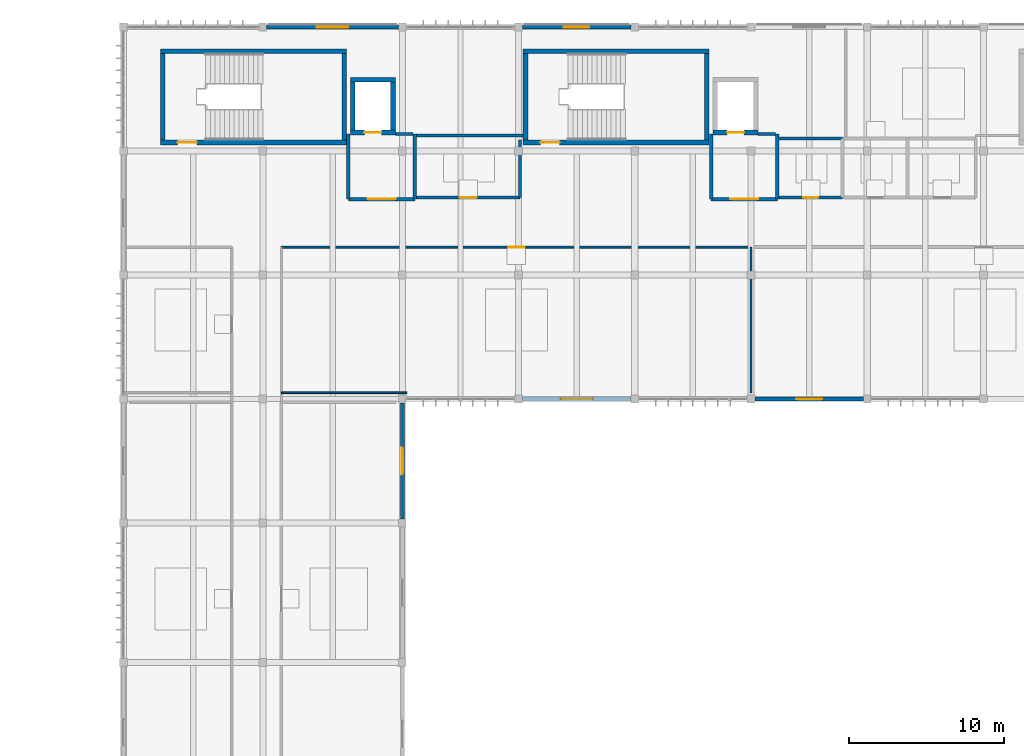
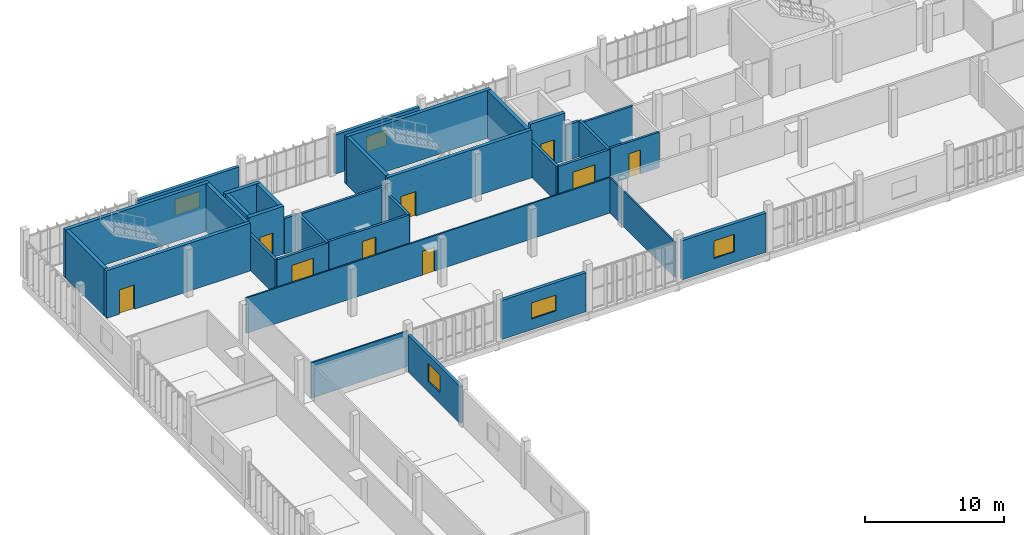
# One storey, part 19 of 27: 34 walls, 9 doors, 5 windows, 14 openings.
"""IFC4 building model written with IfcOpenShell, lengths in metres."""

from ifc_helpers import new_model, si_unit, direction, frame, frame_2d, origin, place, context, subcontext, project, spatial, rectangle, extrude, material, layer, layer_set, type_object, element, fill, save


model = new_model("IFC4")

# Units and contexts
model_context = context("Model", 3, precision=1e-05, world=origin(), true_north=direction((0.0, 1.0)))
body_context = subcontext(model_context, "Body", "Model", "MODEL_VIEW")
ifc_project = project(units=[si_unit("LENGTHUNIT", "METRE"), si_unit("AREAUNIT", "SQUARE_METRE"), si_unit("VOLUMEUNIT", "CUBIC_METRE"), si_unit("PLANEANGLEUNIT", "RADIAN"), si_unit("MASSUNIT", "GRAM", prefix="KILO")], contexts=[model_context])

# Site, building, storey
site_placement = place(None, origin())
site = spatial("IfcSite", under=ifc_project, at=site_placement, CompositionType="ELEMENT")
building_placement = place(site_placement, origin())
building = spatial("IfcBuilding", under=site, at=building_placement, Name="Vourika Railside Aquatics Centre", CompositionType="ELEMENT")
storey_placement = place(building_placement, frame((0.0, 0.0, 13.5)))
storey = spatial("IfcBuildingStorey", under=building, at=storey_placement, Name="L03", CompositionType="ELEMENT", Elevation=13.5)

# Wall, opening, door
ifc_material_1 = material(Name="Concrete C40/50", Category="concrete")
ifc_layer_1 = layer(ifc_material_1, 0.300048828125, Name="WL-CORE")
ifc_layer_set_1 = layer_set([ifc_layer_1], Name="Concrete C40/50")
wall_type_1 = type_object("IfcWallType", Name="WL-CORE", PredefinedType="SHEAR", material=ifc_layer_set_1)
wall_1_placement = place(storey_placement, frame((20.39990234375, 108.550048828125, 0.0), z_axis=(0.0, 0.0, 1.0), x_axis=(1.0, 0.0, 0.0)))
wall_1 = element("IfcWall", 1, at=wall_1_placement, inside=storey, type_object=wall_type_1, Name="Protected Exit Stair Core ST01 South Wall (L03)", PredefinedType="SHEAR", context=body_context, shape_type="SweptSolid", body=[
    extrude(rectangle(XDim=12.0, YDim=0.300048828125, at=frame_2d((6.0, 0.0))), origin(), (0.0, 0.0, 1.0), 4.199951171875),
])
opening_1_placement = place(wall_1_placement, frame((1.10009765625, 0.0, 0.0)))
opening_1 = element("IfcOpeningElement", 2, at=opening_1_placement, cuts=wall_1, Name="Opening DF02", PredefinedType="OPENING", context=body_context, shape_type="SweptSolid", body=[
    extrude(rectangle(XDim=1.25, YDim=2.14990234375, at=frame_2d((0.625, 1.074951171875))), frame((0.0, 0.16015625, 0.0), z_axis=(0.0, -1.0, 0.0), x_axis=(1.0, 0.0, 0.0)), (0.0, 0.0, 1.0), 0.320068359375),
])
ifc_material_2 = material(Name="Fire-rated wide exit stair door")
door_type_1 = type_object("IfcDoorType", Name="DR-FD60-125", OperationType="NOTDEFINED", PredefinedType="DOOR", material=ifc_material_2)
door_1_placement = place(opening_1_placement, origin())
door_1 = element("IfcDoor", 3, at=door_1_placement, inside=storey, type_object=door_type_1, Name="Protected Exit Stair Core ST01 Enclosure Fire Door (L03)", OperationType="SINGLE_SWING_RIGHT", OverallHeight=2.14990234375, OverallWidth=1.25, PredefinedType="DOOR", context=body_context, shape_type="SweptSolid", body=[
    extrude(rectangle(XDim=1.25, YDim=2.14990234375, at=frame_2d((0.625, 1.074951171875))), frame((0.0, 0.02490234375, 0.0), z_axis=(0.0, -1.0, 0.0), x_axis=(1.0, 0.0, 0.0)), (0.0, 0.0, 1.0), 0.050048828125),
])
fill(opening_1, door_1)

# Walls
wall_2_placement = place(storey_placement, frame((32.39990234375, 114.449951171875, 0.0), z_axis=(0.0, 0.0, 1.0), x_axis=(-1.0, 0.0, 0.0)))
element("IfcWall", 4, at=wall_2_placement, inside=storey, type_object=wall_type_1, Name="Protected Exit Stair Core ST01 North Wall (L03)", PredefinedType="SHEAR", context=body_context, shape_type="SweptSolid", body=[
    extrude(rectangle(XDim=12.0, YDim=0.300048828125, at=frame_2d((6.0, 0.0))), origin(), (0.0, 0.0, 1.0), 4.199951171875),
])
for number, where, z_axis, x_axis, name in (
    (5, (20.550048828125, 114.300048828125, 0.0), (0.0, 0.0, 1.0), (0.0, -1.0, 0.0), "Protected Exit Stair Core ST01 West Wall (L03)"),
    (6, (32.25, 108.699951171875, 0.0), (0.0, 0.0, 1.0), (0.0, 1.0, 0.0), "Protected Exit Stair Core ST01 East Wall (L03)"),
):
    element("IfcWall", number, at=place(storey_placement, frame(where, z_axis=z_axis, x_axis=x_axis)), inside=storey, type_object=wall_type_1, Name=name, PredefinedType="SHEAR", context=body_context, shape_type="SweptSolid", body=[
        extrude(rectangle(XDim=5.60009765625, YDim=0.300048828125, at=frame_2d((2.800048828125, 0.0))), origin(), (0.0, 0.0, 1.0), 4.199951171875),
    ])

# Wall, opening, door
wall_3_placement = place(storey_placement, frame((43.800048828125, 108.550048828125, 0.0), z_axis=(0.0, 0.0, 1.0), x_axis=(1.0, 0.0, 0.0)))
wall_3 = element("IfcWall", 7, at=wall_3_placement, inside=storey, type_object=wall_type_1, Name="Protected Exit Stair Core ST02 South Wall (L03)", PredefinedType="SHEAR", context=body_context, shape_type="SweptSolid", body=[
    extrude(rectangle(XDim=12.0, YDim=0.300048828125, at=frame_2d((6.0, 0.0))), origin(), (0.0, 0.0, 1.0), 4.199951171875),
])
opening_2_placement = place(wall_3_placement, frame((1.10009765625, 0.0, 0.0)))
opening_2 = element("IfcOpeningElement", 8, at=opening_2_placement, cuts=wall_3, Name="Opening DF02", PredefinedType="OPENING", context=body_context, shape_type="SweptSolid", body=[
    extrude(rectangle(XDim=1.25, YDim=2.14990234375, at=frame_2d((0.625, 1.074951171875))), frame((0.0, 0.16015625, 0.0), z_axis=(0.0, -1.0, 0.0), x_axis=(1.0, 0.0, 0.0)), (0.0, 0.0, 1.0), 0.320068359375),
])
door_2_placement = place(opening_2_placement, origin())
door_2 = element("IfcDoor", 9, at=door_2_placement, inside=storey, type_object=door_type_1, Name="Protected Exit Stair Core ST02 Enclosure Fire Door (L03)", OperationType="SINGLE_SWING_LEFT", OverallHeight=2.14990234375, OverallWidth=1.25, PredefinedType="DOOR", context=body_context, shape_type="SweptSolid", body=[
    extrude(rectangle(XDim=1.25, YDim=2.14990234375, at=frame_2d((0.625, 1.074951171875))), frame((0.0, 0.02490234375, 0.0), z_axis=(0.0, -1.0, 0.0), x_axis=(1.0, 0.0, 0.0)), (0.0, 0.0, 1.0), 0.050048828125),
])
fill(opening_2, door_2)

# Walls
wall_4_placement = place(storey_placement, frame((55.800048828125, 114.449951171875, 0.0), z_axis=(0.0, 0.0, 1.0), x_axis=(-1.0, 0.0, 0.0)))
element("IfcWall", 10, at=wall_4_placement, inside=storey, type_object=wall_type_1, Name="Protected Exit Stair Core ST02 North Wall (L03)", PredefinedType="SHEAR", context=body_context, shape_type="SweptSolid", body=[
    extrude(rectangle(XDim=12.0, YDim=0.300048828125, at=frame_2d((6.0, 0.0))), origin(), (0.0, 0.0, 1.0), 4.199951171875),
])
for number, where, z_axis, x_axis, name in (
    (11, (43.949951171875, 114.300048828125, 0.0), (0.0, 0.0, 1.0), (0.0, -1.0, 0.0), "Protected Exit Stair Core ST02 West Wall (L03)"),
    (12, (55.64990234375, 108.699951171875, 0.0), (0.0, 0.0, 1.0), (0.0, 1.0, 0.0), "Protected Exit Stair Core ST02 East Wall (L03)"),
):
    element("IfcWall", number, at=place(storey_placement, frame(where, z_axis=z_axis, x_axis=x_axis)), inside=storey, type_object=wall_type_1, Name=name, PredefinedType="SHEAR", context=body_context, shape_type="SweptSolid", body=[
        extrude(rectangle(XDim=5.60009765625, YDim=0.300048828125, at=frame_2d((2.800048828125, 0.0))), origin(), (0.0, 0.0, 1.0), 4.199951171875),
    ])

# Wall, opening, door
wall_5_placement = place(storey_placement, frame((32.64990234375, 109.199951171875, 0.0), z_axis=(0.0, 0.0, 1.0), x_axis=(1.0, 0.0, 0.0)))
wall_5 = element("IfcWall", 13, at=wall_5_placement, inside=storey, type_object=wall_type_1, Name="Lift LF01 Shaft South Wall (L03)", PredefinedType="SHEAR", context=body_context, shape_type="SweptSolid", body=[
    extrude(rectangle(XDim=2.900146484375, YDim=0.300048828125, at=frame_2d((1.4501953125, 0.0))), origin(), (0.0, 0.0, 1.0), 4.199951171875),
])
opening_3_placement = place(wall_5_placement, frame((0.89990234375, 0.0, 0.0)))
opening_3 = element("IfcOpeningElement", 14, at=opening_3_placement, cuts=wall_5, Name="Opening LD01", PredefinedType="OPENING", context=body_context, shape_type="SweptSolid", body=[
    extrude(rectangle(XDim=1.10009765625, YDim=2.14990234375, at=frame_2d((0.550048828125, 1.074951171875))), frame((0.0, 0.16015625, 0.0), z_axis=(0.0, -1.0, 0.0), x_axis=(1.0, 0.0, 0.0)), (0.0, 0.0, 1.0), 0.320068359375),
])
ifc_material_3 = material(Name="Stainless firefighting lift landing door")
door_type_2 = type_object("IfcDoorType", Name="DR-LIFT-LD1", OperationType="DOUBLE_DOOR_SLIDING", PredefinedType="DOOR", material=ifc_material_3)
door_3_placement = place(opening_3_placement, origin())
door_3 = element("IfcDoor", 15, at=door_3_placement, inside=storey, type_object=door_type_2, Name="Lift LF01 Sliding Landing Door (L03)", OperationType="DOUBLE_DOOR_SLIDING", OverallHeight=2.14990234375, OverallWidth=1.10009765625, PredefinedType="DOOR", context=body_context, shape_type="SweptSolid", body=[
    extrude(rectangle(XDim=1.10009765625, YDim=2.14990234375, at=frame_2d((0.550048828125, 1.074951171875))), frame((0.0, 0.02490234375, 0.0), z_axis=(0.0, -1.0, 0.0), x_axis=(1.0, 0.0, 0.0)), (0.0, 0.0, 1.0), 0.050048828125),
])
fill(opening_3, door_3)

# Walls
wall_6_placement = place(storey_placement, frame((35.550048828125, 112.60009765625, 0.0), z_axis=(0.0, 0.0, 1.0), x_axis=(-1.0, 0.0, 0.0)))
element("IfcWall", 16, at=wall_6_placement, inside=storey, type_object=wall_type_1, Name="Lift LF01 Shaft North Wall (L03)", PredefinedType="SHEAR", context=body_context, shape_type="SweptSolid", body=[
    extrude(rectangle(XDim=2.900146484375, YDim=0.300048828125, at=frame_2d((1.4501953125, 0.0))), origin(), (0.0, 0.0, 1.0), 4.199951171875),
])
for number, where, z_axis, x_axis, name in (
    (17, (32.800048828125, 112.60009765625, 0.0), (0.0, 0.0, 1.0), (0.0, -1.0, 0.0), "Lift LF01 Shaft West Wall (L03)"),
    (18, (35.39990234375, 109.199951171875, 0.0), (0.0, 0.0, 1.0), (0.0, 1.0, 0.0), "Lift LF01 Shaft East Wall (L03)"),
):
    element("IfcWall", number, at=place(storey_placement, frame(where, z_axis=z_axis, x_axis=x_axis)), inside=storey, type_object=wall_type_1, Name=name, PredefinedType="SHEAR", context=body_context, shape_type="SweptSolid", body=[
        extrude(rectangle(XDim=3.400146484375, YDim=0.300048828125, at=frame_2d((1.7001953125, 0.0))), origin(), (0.0, 0.0, 1.0), 4.199951171875),
    ])

# Wall, opening, door
wall_7_placement = place(storey_placement, frame((56.050048828125, 109.199951171875, 0.0), z_axis=(0.0, 0.0, 1.0), x_axis=(1.0, 0.0, 0.0)))
wall_7 = element("IfcWall", 19, at=wall_7_placement, inside=storey, type_object=wall_type_1, Name="Lift LF02 Shaft South Wall (L03)", PredefinedType="SHEAR", context=body_context, shape_type="SweptSolid", body=[
    extrude(rectangle(XDim=2.89990234375, YDim=0.300048828125, at=frame_2d((1.449951171875, 0.0))), origin(), (0.0, 0.0, 1.0), 4.199951171875),
])
opening_4_placement = place(wall_7_placement, frame((0.89990234375, 0.0, 0.0)))
opening_4 = element("IfcOpeningElement", 20, at=opening_4_placement, cuts=wall_7, Name="Opening LD01", PredefinedType="OPENING", context=body_context, shape_type="SweptSolid", body=[
    extrude(rectangle(XDim=1.10009765625, YDim=2.14990234375, at=frame_2d((0.550048828125, 1.074951171875))), frame((0.0, 0.16015625, 0.0), z_axis=(0.0, -1.0, 0.0), x_axis=(1.0, 0.0, 0.0)), (0.0, 0.0, 1.0), 0.320068359375),
])
door_4_placement = place(opening_4_placement, origin())
door_4 = element("IfcDoor", 21, at=door_4_placement, inside=storey, type_object=door_type_2, Name="Lift LF02 Sliding Landing Door (L03)", OperationType="DOUBLE_DOOR_SLIDING", OverallHeight=2.14990234375, OverallWidth=1.10009765625, PredefinedType="DOOR", context=body_context, shape_type="SweptSolid", body=[
    extrude(rectangle(XDim=1.10009765625, YDim=2.14990234375, at=frame_2d((0.550048828125, 1.074951171875))), frame((0.0, 0.02490234375, 0.0), z_axis=(0.0, -1.0, 0.0), x_axis=(1.0, 0.0, 0.0)), (0.0, 0.0, 1.0), 0.050048828125),
])
fill(opening_4, door_4)

# Wall, opening, window
ifc_material_4 = material(Name="Precast concrete C40/50", Category="concrete")
ifc_layer_2 = layer(ifc_material_4, 0.25, Name="WL-EXT-250")
ifc_layer_set_2 = layer_set([ifc_layer_2], Name="Precast concrete C40/50")
wall_type_2 = type_object("IfcWallType", Name="WL-EXT-250", PredefinedType="SOLIDWALL", material=ifc_layer_set_2)
wall_8_placement = place(storey_placement, frame((36.0, 84.25, 0.0), z_axis=(0.0, 0.0, 1.0), x_axis=(0.0, 1.0, 0.0)))
wall_8 = element("IfcWall", 22, at=wall_8_placement, inside=storey, type_object=wall_type_2, Name="West Link Courtyard Wall L03-3", PredefinedType="SOLIDWALL", context=body_context, shape_type="SweptSolid", body=[
    extrude(rectangle(XDim=7.5, YDim=0.25, at=frame_2d((3.75, 0.0))), origin(), (0.0, 0.0, 1.0), 3.239990234375),
])
opening_5_placement = place(wall_8_placement, frame((2.89990234375, 0.0, 0.949951171875)))
opening_5 = element("IfcOpeningElement", 23, at=opening_5_placement, cuts=wall_8, Name="Opening W11", PredefinedType="OPENING", context=body_context, shape_type="SweptSolid", body=[
    extrude(rectangle(XDim=1.699951171875, YDim=1.550048828125, at=frame_2d((0.85009765625, 0.77490234375))), frame((0.0, 0.135009765625, 0.0), z_axis=(0.0, -1.0, 0.0), x_axis=(1.0, 0.0, 0.0)), (0.0, 0.0, 1.0), 0.27001953125),
])
ifc_material_5 = material(Name="Laminated solar-control glass", Category="glass")
window_type_1 = type_object("IfcWindowType", Name="WN-LAB-170x155", PartitioningType="SINGLE_PANEL", PredefinedType="WINDOW", material=ifc_material_5)
window_1_placement = place(opening_5_placement, origin())
window_1 = element("IfcWindow", 24, at=window_1_placement, inside=storey, type_object=window_type_1, Name="West Link Courtyard Window L03-3", OverallHeight=1.550048828125, OverallWidth=1.699951171875, PartitioningType="SINGLE_PANEL", PredefinedType="WINDOW", context=body_context, shape_type="SweptSolid", body=[
    extrude(rectangle(XDim=1.699951171875, YDim=1.550048828125, at=frame_2d((0.85009765625, 0.77490234375))), frame((0.0, 0.030029296875, 0.0), z_axis=(0.0, -1.0, 0.0), x_axis=(1.0, 0.0, 0.0)), (0.0, 0.0, 1.0), 0.06005859375),
])
fill(opening_5, window_1)

ifc_layer_3 = layer(ifc_material_4, 0.27001953125, Name="WL-EXT-270")
ifc_layer_set_3 = layer_set([ifc_layer_3], Name="Precast concrete C40/50")
wall_type_3 = type_object("IfcWallType", Name="WL-EXT-270", PredefinedType="SOLIDWALL", material=ifc_layer_set_3)
wall_9_placement = place(storey_placement, frame((35.75, 116.0, 0.0), z_axis=(0.0, 0.0, 1.0), x_axis=(-1.0, 0.0, 0.0)))
wall_9 = element("IfcWall", 25, at=wall_9_placement, inside=storey, type_object=wall_type_3, Name="North Boulevard Precast Bay L03-2", PredefinedType="SOLIDWALL", context=body_context, shape_type="SweptSolid", body=[
    extrude(rectangle(XDim=8.5, YDim=0.27001953125, at=frame_2d((4.25, 0.0))), origin(), (0.0, 0.0, 1.0), 3.43994140625),
])
opening_6_placement = place(wall_9_placement, frame((3.22509765625, 0.0, 0.949951171875)))
opening_6 = element("IfcOpeningElement", 26, at=opening_6_placement, cuts=wall_9, Name="Opening W12", PredefinedType="OPENING", context=body_context, shape_type="SweptSolid", body=[
    extrude(rectangle(XDim=2.050048828125, YDim=1.39990234375, at=frame_2d((1.02490234375, 0.699951171875))), frame((0.0, 0.14501953125, 0.0), z_axis=(0.0, -1.0, 0.0), x_axis=(1.0, 0.0, 0.0)), (0.0, 0.0, 1.0), 0.2900390625),
])
window_type_2 = type_object("IfcWindowType", Name="WN-SPA-205x140", PartitioningType="DOUBLE_PANEL_HORIZONTAL", PredefinedType="WINDOW", material=ifc_material_5)
window_2_placement = place(opening_6_placement, origin())
window_2 = element("IfcWindow", 27, at=window_2_placement, inside=storey, type_object=window_type_2, Name="North Boulevard Studio Window L03-2", OverallHeight=1.39990234375, OverallWidth=2.050048828125, PartitioningType="SINGLE_PANEL", PredefinedType="WINDOW", context=body_context, shape_type="SweptSolid", body=[
    extrude(rectangle(XDim=2.050048828125, YDim=1.39990234375, at=frame_2d((1.02490234375, 0.699951171875))), frame((0.0, 0.030029296875, 0.0), z_axis=(0.0, -1.0, 0.0), x_axis=(1.0, 0.0, 0.0)), (0.0, 0.0, 1.0), 0.06005859375),
])
fill(opening_6, window_2)

wall_10_placement = place(storey_placement, frame((50.75, 116.0, 0.0), z_axis=(0.0, 0.0, 1.0), x_axis=(-1.0, 0.0, 0.0)))
wall_10 = element("IfcWall", 28, at=wall_10_placement, inside=storey, type_object=wall_type_3, Name="North Boulevard Precast Bay L03-4", PredefinedType="SOLIDWALL", context=body_context, shape_type="SweptSolid", body=[
    extrude(rectangle(XDim=7.0, YDim=0.27001953125, at=frame_2d((3.5, 0.0))), origin(), (0.0, 0.0, 1.0), 3.43994140625),
])
opening_7_placement = place(wall_10_placement, frame((2.675048828125, 0.0, 0.949951171875)))
opening_7 = element("IfcOpeningElement", 29, at=opening_7_placement, cuts=wall_10, Name="Opening W13", PredefinedType="OPENING", context=body_context, shape_type="SweptSolid", body=[
    extrude(rectangle(XDim=1.64990234375, YDim=1.35009765625, at=frame_2d((0.824951171875, 0.675048828125))), frame((0.0, 0.14501953125, 0.0), z_axis=(0.0, -1.0, 0.0), x_axis=(1.0, 0.0, 0.0)), (0.0, 0.0, 1.0), 0.2900390625),
])
window_type_3 = type_object("IfcWindowType", Name="WN-SPA-165x135", PartitioningType="SINGLE_PANEL", PredefinedType="WINDOW", material=ifc_material_5)
window_3_placement = place(opening_7_placement, origin())
window_3 = element("IfcWindow", 30, at=window_3_placement, inside=storey, type_object=window_type_3, Name="North Boulevard Studio Window L03-4", OverallHeight=1.35009765625, OverallWidth=1.64990234375, PartitioningType="SINGLE_PANEL", PredefinedType="WINDOW", context=body_context, shape_type="SweptSolid", body=[
    extrude(rectangle(XDim=1.64990234375, YDim=1.35009765625, at=frame_2d((0.824951171875, 0.675048828125))), frame((0.0, 0.030029296875, 0.0), z_axis=(0.0, -1.0, 0.0), x_axis=(1.0, 0.0, 0.0)), (0.0, 0.0, 1.0), 0.06005859375),
])
fill(opening_7, window_3)

wall_11_placement = place(storey_placement, frame((43.75, 92.0, 0.0), z_axis=(0.0, 0.0, 1.0), x_axis=(1.0, 0.0, 0.0)))
wall_11 = element("IfcWall", 31, at=wall_11_placement, inside=storey, type_object=wall_type_3, Name="Courtyard Precast Wall L03-2", PredefinedType="SOLIDWALL", context=body_context, shape_type="SweptSolid", body=[
    extrude(rectangle(XDim=7.0, YDim=0.27001953125, at=frame_2d((3.5, 0.0))), origin(), (0.0, 0.0, 1.0), 3.43994140625),
])
opening_8_placement = place(wall_11_placement, frame((2.47509765625, 0.0, 0.949951171875)))
opening_8 = element("IfcOpeningElement", 32, at=opening_8_placement, cuts=wall_11, Name="Opening W12", PredefinedType="OPENING", context=body_context, shape_type="SweptSolid", body=[
    extrude(rectangle(XDim=2.050048828125, YDim=1.39990234375, at=frame_2d((1.02490234375, 0.699951171875))), frame((0.0, 0.14501953125, 0.0), z_axis=(0.0, -1.0, 0.0), x_axis=(1.0, 0.0, 0.0)), (0.0, 0.0, 1.0), 0.2900390625),
])
window_4_placement = place(opening_8_placement, origin())
window_4 = element("IfcWindow", 33, at=window_4_placement, inside=storey, type_object=window_type_2, Name="Courtyard Fitness Window L03-2", OverallHeight=1.39990234375, OverallWidth=2.050048828125, PartitioningType="SINGLE_PANEL", PredefinedType="WINDOW", context=body_context, shape_type="SweptSolid", body=[
    extrude(rectangle(XDim=2.050048828125, YDim=1.39990234375, at=frame_2d((1.02490234375, 0.699951171875))), frame((0.0, 0.030029296875, 0.0), z_axis=(0.0, -1.0, 0.0), x_axis=(1.0, 0.0, 0.0)), (0.0, 0.0, 1.0), 0.06005859375),
])
fill(opening_8, window_4)

wall_12_placement = place(storey_placement, frame((58.75, 92.0, 0.0), z_axis=(0.0, 0.0, 1.0), x_axis=(1.0, 0.0, 0.0)))
wall_12 = element("IfcWall", 34, at=wall_12_placement, inside=storey, type_object=wall_type_3, Name="Courtyard Precast Wall L03-4", PredefinedType="SOLIDWALL", context=body_context, shape_type="SweptSolid", body=[
    extrude(rectangle(XDim=7.0, YDim=0.27001953125, at=frame_2d((3.5, 0.0))), origin(), (0.0, 0.0, 1.0), 3.43994140625),
])
opening_9_placement = place(wall_12_placement, frame((2.64990234375, 0.0, 0.949951171875)))
opening_9 = element("IfcOpeningElement", 35, at=opening_9_placement, cuts=wall_12, Name="Opening W11", PredefinedType="OPENING", context=body_context, shape_type="SweptSolid", body=[
    extrude(rectangle(XDim=1.699951171875, YDim=1.550048828125, at=frame_2d((0.85009765625, 0.77490234375))), frame((0.0, 0.14501953125, 0.0), z_axis=(0.0, -1.0, 0.0), x_axis=(1.0, 0.0, 0.0)), (0.0, 0.0, 1.0), 0.2900390625),
])
window_5_placement = place(opening_9_placement, origin())
window_5 = element("IfcWindow", 36, at=window_5_placement, inside=storey, type_object=window_type_1, Name="Courtyard Fitness Window L03-4", OverallHeight=1.550048828125, OverallWidth=1.699951171875, PartitioningType="SINGLE_PANEL", PredefinedType="WINDOW", context=body_context, shape_type="SweptSolid", body=[
    extrude(rectangle(XDim=1.699951171875, YDim=1.550048828125, at=frame_2d((0.85009765625, 0.77490234375))), frame((0.0, 0.030029296875, 0.0), z_axis=(0.0, -1.0, 0.0), x_axis=(1.0, 0.0, 0.0)), (0.0, 0.0, 1.0), 0.06005859375),
])
fill(opening_9, window_5)

# Wall, opening, door
ifc_material_6 = material(Name="Concrete C35/45", Category="concrete")
ifc_layer_4 = layer(ifc_material_6, 0.219970703125, Name="WL-FIRE")
ifc_layer_set_4 = layer_set([ifc_layer_4], Name="Concrete C35/45")
wall_type_4 = type_object("IfcWallType", Name="WL-FIRE", PredefinedType="SOLIDWALL", material=ifc_layer_set_4)
wall_13_placement = place(storey_placement, frame((32.52001953125, 104.89990234375, 0.0), z_axis=(0.0, 0.0, 1.0), x_axis=(1.0, 0.0, 0.0)))
wall_13 = element("IfcWall", 37, at=wall_13_placement, inside=storey, type_object=wall_type_4, Name="Lift LF01 Lobby Corridor Fire Wall (L03)", PredefinedType="SOLIDWALL", context=body_context, shape_type="SweptSolid", body=[
    extrude(rectangle(XDim=4.280029296875, YDim=0.219970703125, at=frame_2d((2.14013671875, 0.0))), origin(), (0.0, 0.0, 1.0), 3.1201171875),
])
opening_10_placement = place(wall_13_placement, frame((1.239990234375, 0.0, 0.0)))
opening_10 = element("IfcOpeningElement", 38, at=opening_10_placement, cuts=wall_13, Name="Opening DF03", PredefinedType="OPENING", context=body_context, shape_type="SweptSolid", body=[
    extrude(rectangle(XDim=1.800048828125, YDim=2.199951171875, at=frame_2d((0.89990234375, 1.10009765625))), frame((0.0, 0.1201171875, 0.0), z_axis=(0.0, -1.0, 0.0), x_axis=(1.0, 0.0, 0.0)), (0.0, 0.0, 1.0), 0.239990234375),
])
ifc_material_7 = material(Name="Fire-rated double lobby door")
door_type_3 = type_object("IfcDoorType", Name="DR-FD60D", OperationType="DOUBLE_DOOR_SINGLE_SWING", PredefinedType="DOOR", material=ifc_material_7)
door_5_placement = place(opening_10_placement, origin())
door_5 = element("IfcDoor", 39, at=door_5_placement, inside=storey, type_object=door_type_3, Name="Lift LF01 Lobby Fire Door (L03)", OperationType="DOUBLE_DOOR_SINGLE_SWING", OverallHeight=2.199951171875, OverallWidth=1.800048828125, PredefinedType="DOOR", context=body_context, shape_type="SweptSolid", body=[
    extrude(rectangle(XDim=1.800048828125, YDim=2.199951171875, at=frame_2d((0.89990234375, 1.10009765625))), frame((0.0, 0.02490234375, 0.0), z_axis=(0.0, -1.0, 0.0), x_axis=(1.0, 0.0, 0.0)), (0.0, 0.0, 1.0), 0.050048828125),
])
fill(opening_10, door_5)

# Walls
for number, where, z_axis, x_axis, name in (
    (40, (32.52001953125, 104.89990234375, 0.0), (0.0, 0.0, 1.0), (0.0, 1.0, 0.0), "Lift LF01 Lobby West Fire Wall (L03)"),
    (41, (36.800048828125, 104.89990234375, 0.0), (0.0, 0.0, 1.0), (0.0, 1.0, 0.0), "Lift LF01 Lobby East Fire Wall (L03)"),
):
    element("IfcWall", number, at=place(storey_placement, frame(where, z_axis=z_axis, x_axis=x_axis)), inside=storey, type_object=wall_type_4, Name=name, PredefinedType="SOLIDWALL", context=body_context, shape_type="SweptSolid", body=[
        extrude(rectangle(XDim=4.2001953125, YDim=0.219970703125, at=frame_2d((2.10009765625, 0.0))), origin(), (0.0, 0.0, 1.0), 3.1201171875),
    ])
wall_14_placement = place(storey_placement, frame((35.550048828125, 109.10009765625, 0.0), z_axis=(0.0, 0.0, 1.0), x_axis=(1.0, 0.0, 0.0)))
element("IfcWall", 42, at=wall_14_placement, inside=storey, type_object=wall_type_4, Name="Lift LF01 Lobby North-East Closure Wall (L03)", PredefinedType="SOLIDWALL", context=body_context, shape_type="SweptSolid", body=[
    extrude(rectangle(XDim=1.1298828125, YDim=0.219970703125, at=frame_2d((0.56494140625, 0.0))), origin(), (0.0, 0.0, 1.0), 3.1201171875),
])

# Wall, opening, door
wall_15_placement = place(storey_placement, frame((55.919921875, 104.89990234375, 0.0), z_axis=(0.0, 0.0, 1.0), x_axis=(1.0, 0.0, 0.0)))
wall_15 = element("IfcWall", 43, at=wall_15_placement, inside=storey, type_object=wall_type_4, Name="Lift LF02 Lobby Corridor Fire Wall (L03)", PredefinedType="SOLIDWALL", context=body_context, shape_type="SweptSolid", body=[
    extrude(rectangle(XDim=4.280029296875, YDim=0.219970703125, at=frame_2d((2.14013671875, 0.0))), origin(), (0.0, 0.0, 1.0), 3.1201171875),
])
opening_11_placement = place(wall_15_placement, frame((1.239990234375, 0.0, 0.0)))
opening_11 = element("IfcOpeningElement", 44, at=opening_11_placement, cuts=wall_15, Name="Opening DF03", PredefinedType="OPENING", context=body_context, shape_type="SweptSolid", body=[
    extrude(rectangle(XDim=1.800048828125, YDim=2.199951171875, at=frame_2d((0.89990234375, 1.10009765625))), frame((0.0, 0.1201171875, 0.0), z_axis=(0.0, -1.0, 0.0), x_axis=(1.0, 0.0, 0.0)), (0.0, 0.0, 1.0), 0.239990234375),
])
door_6_placement = place(opening_11_placement, origin())
door_6 = element("IfcDoor", 45, at=door_6_placement, inside=storey, type_object=door_type_3, Name="Lift LF02 Lobby Fire Door (L03)", OperationType="DOUBLE_DOOR_SINGLE_SWING", OverallHeight=2.199951171875, OverallWidth=1.800048828125, PredefinedType="DOOR", context=body_context, shape_type="SweptSolid", body=[
    extrude(rectangle(XDim=1.800048828125, YDim=2.199951171875, at=frame_2d((0.89990234375, 1.10009765625))), frame((0.0, 0.02490234375, 0.0), z_axis=(0.0, -1.0, 0.0), x_axis=(1.0, 0.0, 0.0)), (0.0, 0.0, 1.0), 0.050048828125),
])
fill(opening_11, door_6)

# Walls
for number, where, z_axis, x_axis, name in (
    (46, (55.919921875, 104.89990234375, 0.0), (0.0, 0.0, 1.0), (0.0, 1.0, 0.0), "Lift LF02 Lobby West Fire Wall (L03)"),
    (47, (60.199951171875, 104.89990234375, 0.0), (0.0, 0.0, 1.0), (0.0, 1.0, 0.0), "Lift LF02 Lobby East Fire Wall (L03)"),
):
    element("IfcWall", number, at=place(storey_placement, frame(where, z_axis=z_axis, x_axis=x_axis)), inside=storey, type_object=wall_type_4, Name=name, PredefinedType="SOLIDWALL", context=body_context, shape_type="SweptSolid", body=[
        extrude(rectangle(XDim=4.2001953125, YDim=0.219970703125, at=frame_2d((2.10009765625, 0.0))), origin(), (0.0, 0.0, 1.0), 3.1201171875),
    ])
wall_16_placement = place(storey_placement, frame((58.949951171875, 109.10009765625, 0.0), z_axis=(0.0, 0.0, 1.0), x_axis=(1.0, 0.0, 0.0)))
element("IfcWall", 48, at=wall_16_placement, inside=storey, type_object=wall_type_4, Name="Lift LF02 Lobby North-East Closure Wall (L03)", PredefinedType="SOLIDWALL", context=body_context, shape_type="SweptSolid", body=[
    extrude(rectangle(XDim=1.130126953125, YDim=0.219970703125, at=frame_2d((0.56494140625, 0.0))), origin(), (0.0, 0.0, 1.0), 3.1201171875),
])

# Wall, opening, door
ifc_material_8 = material(Name="Lightweight drylining partition")
ifc_layer_5 = layer(ifc_material_8, 0.1201171875, Name="WL-PART-120")
ifc_layer_set_5 = layer_set([ifc_layer_5], Name="Lightweight drylining partition")
wall_type_5 = type_object("IfcWallType", Name="WL-PART-120", PredefinedType="PARTITIONING", material=ifc_layer_set_5)
wall_17_placement = place(storey_placement, frame((28.199951171875, 101.800048828125, 0.0), z_axis=(0.0, 0.0, 1.0), x_axis=(1.0, 0.0, 0.0)))
wall_17 = element("IfcWall", 49, at=wall_17_placement, inside=storey, type_object=wall_type_5, Name="Thermal Hydrotherapy and Vitality Lounge Partition 1", PredefinedType="PARTITIONING", context=body_context, shape_type="SweptSolid", body=[
    extrude(rectangle(XDim=30.300048828125, YDim=0.1201171875, at=frame_2d((15.14990234375, 0.0))), origin(), (0.0, 0.0, 1.0), 3.1201171875),
])
opening_12_placement = place(wall_17_placement, frame((14.64990234375, 0.0, 0.0)))
opening_12 = element("IfcOpeningElement", 50, at=opening_12_placement, cuts=wall_17, Name="Opening DI01", PredefinedType="OPENING", context=body_context, shape_type="SweptSolid", body=[
    extrude(rectangle(XDim=1.0, YDim=2.10009765625, at=frame_2d((0.5, 1.050048828125))), frame((0.0, 0.070068359375, 0.0), z_axis=(0.0, -1.0, 0.0), x_axis=(1.0, 0.0, 0.0)), (0.0, 0.0, 1.0), 0.14013671875),
])
ifc_material_9 = material(Name="Anodized aluminium and laminate door", Category="aluminium")
door_type_4 = type_object("IfcDoorType", Name="DR-INT-1000", OperationType="NOTDEFINED", PredefinedType="DOOR", material=ifc_material_9)
door_7_placement = place(opening_12_placement, origin())
door_7 = element("IfcDoor", 51, at=door_7_placement, inside=storey, type_object=door_type_4, Name="Thermal Hydrotherapy and Vitality Lounge Door", OperationType="SINGLE_SWING_RIGHT", OverallHeight=2.10009765625, OverallWidth=1.0, PredefinedType="DOOR", context=body_context, shape_type="SweptSolid", body=[
    extrude(rectangle(XDim=1.0, YDim=2.10009765625, at=frame_2d((0.5, 1.050048828125))), frame((0.0, 0.02490234375, 0.0), z_axis=(0.0, -1.0, 0.0), x_axis=(1.0, 0.0, 0.0)), (0.0, 0.0, 1.0), 0.050048828125),
])
fill(opening_12, door_7)

# Walls
wall_18_placement = place(storey_placement, frame((36.280029296875, 92.39990234375, 0.0), z_axis=(0.0, 0.0, 1.0), x_axis=(-1.0, 0.0, 0.0)))
element("IfcWall", 52, at=wall_18_placement, inside=storey, type_object=wall_type_5, Name="Thermal Hydrotherapy and Vitality Lounge Partition 3", PredefinedType="PARTITIONING", context=body_context, shape_type="SweptSolid", body=[
    extrude(rectangle(XDim=8.080078125, YDim=0.1201171875, at=frame_2d((4.0400390625, 0.0))), origin(), (0.0, 0.0, 1.0), 3.1201171875),
])
wall_19_placement = place(storey_placement, frame((58.5, 101.800048828125, 0.0), z_axis=(0.0, 0.0, 1.0), x_axis=(0.0, -1.0, 0.0)))
element("IfcWall", 53, at=wall_19_placement, inside=storey, type_object=wall_type_5, Name="Thermal Hydrotherapy and Vitality Lounge Partition 4", PredefinedType="PARTITIONING", context=body_context, shape_type="SweptSolid", body=[
    extrude(rectangle(XDim=9.400146484375, YDim=0.1201171875, at=frame_2d((4.7001953125, 0.0))), origin(), (0.0, 0.0, 1.0), 3.1201171875),
])

# Wall, opening, door
ifc_material_10 = material(Name="Moisture-resistant wet-village blockwork", Category="masonry")
ifc_layer_6 = layer(ifc_material_10, 0.179931640625, Name="WL-PART-180")
ifc_layer_set_6 = layer_set([ifc_layer_6], Name="Moisture-resistant wet-village blockwork")
wall_type_6 = type_object("IfcWallType", Name="WL-PART-180", PredefinedType="PARTITIONING", material=ifc_layer_set_6)
wall_20_placement = place(storey_placement, frame((64.39990234375, 105.0, 0.0), z_axis=(0.0, 0.0, 1.0), x_axis=(-1.0, 0.0, 0.0)))
wall_20 = element("IfcWall", 54, at=wall_20_placement, inside=storey, type_object=wall_type_6, Name="Thermal Spa Male WC Partition 1", PredefinedType="PARTITIONING", context=body_context, shape_type="SweptSolid", body=[
    extrude(rectangle(XDim=4.10986328125, YDim=0.179931640625, at=frame_2d((2.054931640625, 0.0))), origin(), (0.0, 0.0, 1.0), 3.1201171875),
])
opening_13_placement = place(wall_20_placement, frame((1.580078125, 0.0, 0.0)))
opening_13 = element("IfcOpeningElement", 55, at=opening_13_placement, cuts=wall_20, Name="Opening DW01", PredefinedType="OPENING", context=body_context, shape_type="SweptSolid", body=[
    extrude(rectangle(XDim=0.949951171875, YDim=2.10009765625, at=frame_2d((0.47509765625, 1.050048828125))), frame((0.0, 0.10009765625, 0.0), z_axis=(0.0, -1.0, 0.0), x_axis=(1.0, 0.0, 0.0)), (0.0, 0.0, 1.0), 0.199951171875),
])
ifc_material_11 = material(Name="Moisture-resistant HPL washroom door")
door_type_5 = type_object("IfcDoorType", Name="DR-WC-950", OperationType="NOTDEFINED", PredefinedType="DOOR", material=ifc_material_11)
door_8_placement = place(opening_13_placement, origin())
door_8 = element("IfcDoor", 56, at=door_8_placement, inside=storey, type_object=door_type_5, Name="Thermal Spa Male WC Door", OperationType="SINGLE_SWING_RIGHT", OverallHeight=2.10009765625, OverallWidth=0.949951171875, PredefinedType="DOOR", context=body_context, shape_type="SweptSolid", body=[
    extrude(rectangle(XDim=0.949951171875, YDim=2.10009765625, at=frame_2d((0.47509765625, 1.050048828125))), frame((0.0, 0.02490234375, 0.0), z_axis=(0.0, -1.0, 0.0), x_axis=(1.0, 0.0, 0.0)), (0.0, 0.0, 1.0), 0.050048828125),
])
fill(opening_13, door_8)

# Wall
wall_21_placement = place(storey_placement, frame((60.2900390625, 108.800048828125, 0.0), z_axis=(0.0, 0.0, 1.0), x_axis=(1.0, 0.0, 0.0)))
element("IfcWall", 57, at=wall_21_placement, inside=storey, type_object=wall_type_6, Name="Thermal Spa Male WC Partition 3", PredefinedType="PARTITIONING", context=body_context, shape_type="SweptSolid", body=[
    extrude(rectangle(XDim=4.10986328125, YDim=0.179931640625, at=frame_2d((2.054931640625, 0.0))), origin(), (0.0, 0.0, 1.0), 3.1201171875),
])

# Wall, opening, door
ifc_material_12 = material(Name="Acoustic masonry blockwork", Category="masonry")
ifc_layer_7 = layer(ifc_material_12, 0.199951171875, Name="WL-PART-200")
ifc_layer_set_7 = layer_set([ifc_layer_7], Name="Acoustic masonry blockwork")
wall_type_7 = type_object("IfcWallType", Name="WL-PART-200", PredefinedType="PARTITIONING", material=ifc_layer_set_7)
wall_22_placement = place(storey_placement, frame((43.60009765625, 105.0, 0.0), z_axis=(0.0, 0.0, 1.0), x_axis=(-1.0, 0.0, 0.0)))
wall_22 = element("IfcWall", 58, at=wall_22_placement, inside=storey, type_object=wall_type_7, Name="Clean Linen and Spa Supply Store Partition 1", PredefinedType="PARTITIONING", context=body_context, shape_type="SweptSolid", body=[
    extrude(rectangle(XDim=6.710205078125, YDim=0.199951171875, at=frame_2d((3.35498046875, 0.0))), origin(), (0.0, 0.0, 1.0), 3.1201171875),
])
opening_14_placement = place(wall_22_placement, frame((2.804931640625, 0.0, 0.0)))
opening_14 = element("IfcOpeningElement", 59, at=opening_14_placement, cuts=wall_22, Name="Opening DF01", PredefinedType="OPENING", context=body_context, shape_type="SweptSolid", body=[
    extrude(rectangle(XDim=1.10009765625, YDim=2.14990234375, at=frame_2d((0.550048828125, 1.074951171875))), frame((0.0, 0.10986328125, 0.0), z_axis=(0.0, -1.0, 0.0), x_axis=(1.0, 0.0, 0.0)), (0.0, 0.0, 1.0), 0.219970703125),
])
ifc_material_13 = material(Name="Fire-rated steel and timber core door", Category="steel")
door_type_6 = type_object("IfcDoorType", Name="DR-FD60", OperationType="NOTDEFINED", PredefinedType="DOOR", material=ifc_material_13)
door_9_placement = place(opening_14_placement, origin())
door_9 = element("IfcDoor", 60, at=door_9_placement, inside=storey, type_object=door_type_6, Name="Clean Linen and Spa Supply Store Door", OperationType="SINGLE_SWING_RIGHT", OverallHeight=2.14990234375, OverallWidth=1.10009765625, PredefinedType="DOOR", context=body_context, shape_type="SweptSolid", body=[
    extrude(rectangle(XDim=1.10009765625, YDim=2.14990234375, at=frame_2d((0.550048828125, 1.074951171875))), frame((0.0, 0.02490234375, 0.0), z_axis=(0.0, -1.0, 0.0), x_axis=(1.0, 0.0, 0.0)), (0.0, 0.0, 1.0), 0.050048828125),
])
fill(opening_14, door_9)

# Walls
wall_23_placement = place(storey_placement, frame((43.60009765625, 108.699951171875, 0.0), z_axis=(0.0, 0.0, 1.0), x_axis=(0.0, -1.0, 0.0)))
element("IfcWall", 61, at=wall_23_placement, inside=storey, type_object=wall_type_7, Name="Clean Linen and Spa Supply Store Partition 2", PredefinedType="PARTITIONING", context=body_context, shape_type="SweptSolid", body=[
    extrude(rectangle(XDim=3.699951171875, YDim=0.199951171875, at=frame_2d((1.85009765625, 0.0))), origin(), (0.0, 0.0, 1.0), 3.1201171875),
])
wall_24_placement = place(storey_placement, frame((36.889892578125, 109.0, 0.0), z_axis=(0.0, 0.0, 1.0), x_axis=(1.0, 0.0, 0.0)))
element("IfcWall", 62, at=wall_24_placement, inside=storey, type_object=wall_type_7, Name="Clean Linen and Spa Supply Store Partition 3", PredefinedType="PARTITIONING", context=body_context, shape_type="SweptSolid", body=[
    extrude(rectangle(XDim=6.91015625, YDim=0.199951171875, at=frame_2d((3.455078125, 0.0))), origin(), (0.0, 0.0, 1.0), 3.1201171875),
])

save(model, "model.ifc")
